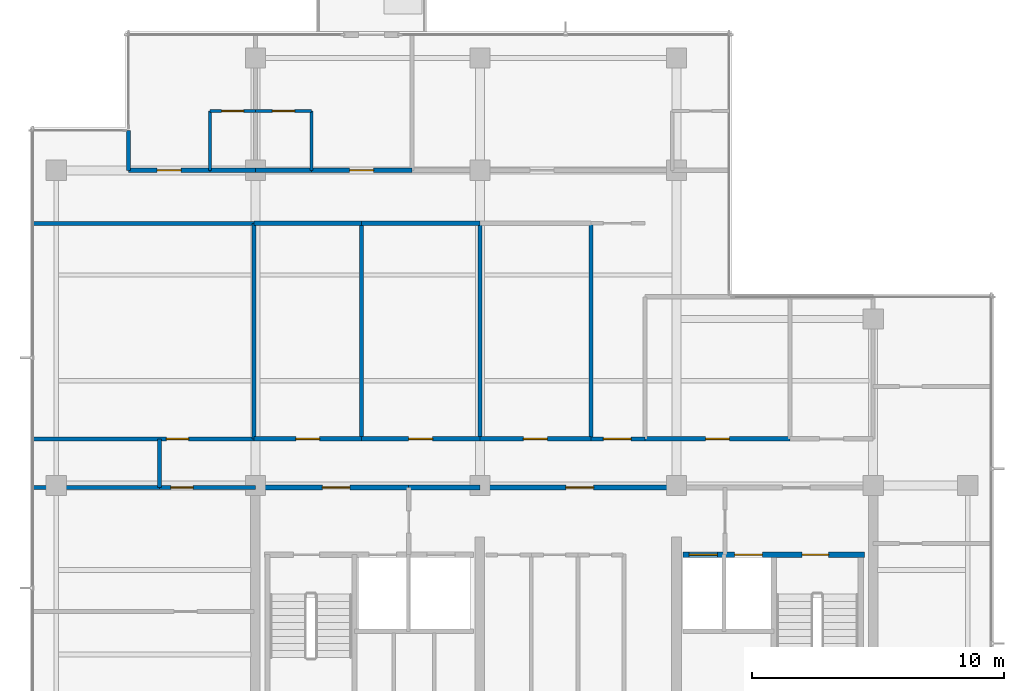
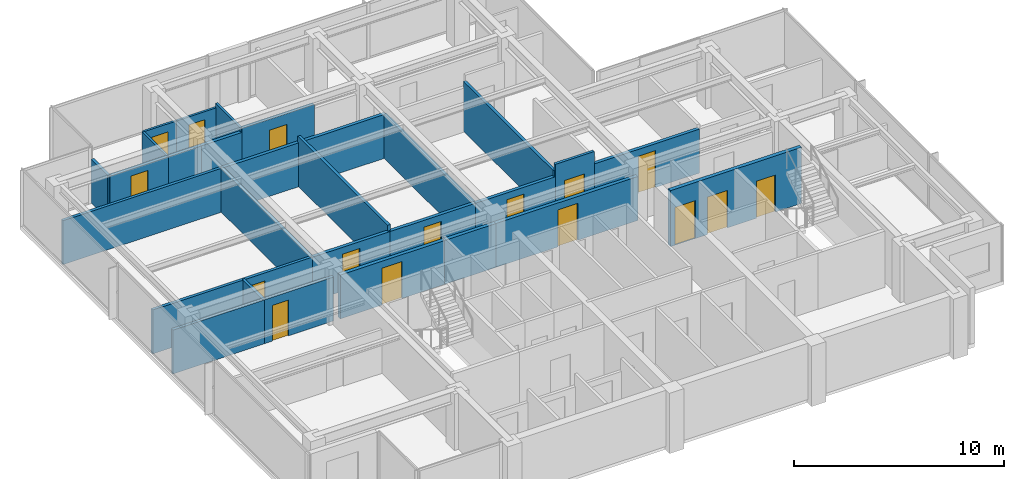
# One storey, part 7 of 11: 29 walls, 16 doors, 16 openings.
"""IFC4 building model written with IfcOpenShell, lengths in metres."""

from ifc_helpers import new_model, si_unit, direction, frame, frame_2d, origin, place, context, subcontext, project, spatial, rectangle, extrude, material, layer, layer_set, type_object, element, fill, save


model = new_model("IFC4")

# Units and contexts
model_context = context("Model", 3, precision=1e-05, world=origin(), true_north=direction((0.0, 1.0)))
body_context = subcontext(model_context, "Body", "Model", "MODEL_VIEW")
ifc_project = project(units=[si_unit("LENGTHUNIT", "METRE"), si_unit("AREAUNIT", "SQUARE_METRE"), si_unit("VOLUMEUNIT", "CUBIC_METRE"), si_unit("PLANEANGLEUNIT", "RADIAN"), si_unit("MASSUNIT", "GRAM", prefix="KILO")], contexts=[model_context])

# Site, building, storey
site_placement = place(None, origin())
site = spatial("IfcSite", under=ifc_project, at=site_placement, CompositionType="ELEMENT")
building_placement = place(site_placement, origin())
building = spatial("IfcBuilding", under=site, at=building_placement, Name="Qalmaran Belvedere Hotel", CompositionType="ELEMENT")
storey_placement = place(building_placement, frame((0.0, 0.0, 256.39990234375)))
storey = spatial("IfcBuildingStorey", under=building, at=storey_placement, Name="L66", CompositionType="ELEMENT", Elevation=256.39990234375)

# Wall, opening, door
ifc_material_1 = material(Name="Moisture-Resistant Gypsum")
ifc_layer_1 = layer(ifc_material_1, 0.1201171875, Name="Moisture-Resistant Gypsum")
ifc_layer_set_1 = layer_set([ifc_layer_1], Name="Moisture-Resistant Gypsum")
wall_type_1 = type_object("IfcWallType", Name="WL-INT-120-BATH", PredefinedType="PARTITIONING", material=ifc_layer_set_1)
wall_1_placement = place(storey_placement, frame((18.489990234375, 35.35009765625, 0.0), z_axis=(0.0, 0.0, 1.0), x_axis=(1.0, 0.0, 0.0)))
wall_1 = element("IfcWall", 1, at=wall_1_placement, inside=storey, type_object=wall_type_1, Name="L66 Partition WL-L66-NBN00", PredefinedType="PARTITIONING", context=body_context, shape_type="SweptSolid", body=[
    extrude(rectangle(XDim=1.81005859375, YDim=0.1201171875, at=frame_2d((0.905029296875, 0.0))), origin(), (0.0, 0.0, 1.0), 2.550048828125),
])
opening_1_placement = place(wall_1_placement, frame((1.344970703125, 0.0, 0.0), z_axis=(0.0, 0.0, 1.0), x_axis=(-1.0, 0.0, 0.0)))
opening_1 = element("IfcOpeningElement", 2, at=opening_1_placement, cuts=wall_1, Name="Opening D-BATH", PredefinedType="OPENING", context=body_context, shape_type="SweptSolid", body=[
    extrude(rectangle(XDim=0.8798828125, YDim=2.080078125, at=frame_2d((0.43994140625, 1.0400390625))), frame((0.0, 0.070068359375, 0.0), z_axis=(0.0, -1.0, 0.0), x_axis=(1.0, 0.0, 0.0)), (0.0, 0.0, 1.0), 0.14013671875),
])
ifc_material_2 = material(Name="Engineered Oak Veneer")
door_type_1 = type_object("IfcDoorType", Name="DR-INT-BATH-880X2080", OperationType="NOTDEFINED", PredefinedType="DOOR", material=ifc_material_2)
door_1_placement = place(opening_1_placement, origin())
door_1 = element("IfcDoor", 3, at=door_1_placement, inside=storey, type_object=door_type_1, Name="L66 Ensuite Bathroom Door N01", OperationType="SINGLE_SWING_LEFT", OverallHeight=2.080078125, OverallWidth=0.8798828125, PredefinedType="DOOR", context=body_context, shape_type="SweptSolid", body=[
    extrude(rectangle(XDim=0.8798828125, YDim=2.080078125, at=frame_2d((0.43994140625, 1.0400390625))), frame((0.0, 0.02490234375, 0.0), z_axis=(0.0, -1.0, 0.0), x_axis=(1.0, 0.0, 0.0)), (0.0, 0.0, 1.0), 0.050048828125),
])
fill(opening_1, door_1)

# Wall
wall_2_placement = place(storey_placement, frame((18.489990234375, 33.0, 0.0), z_axis=(0.0, 0.0, 1.0), x_axis=(0.0, 1.0, 0.0)))
element("IfcWall", 4, at=wall_2_placement, inside=storey, type_object=wall_type_1, Name="L66 Partition WL-L66-NBS00", PredefinedType="PARTITIONING", context=body_context, shape_type="SweptSolid", body=[
    extrude(rectangle(XDim=2.35009765625, YDim=0.1201171875, at=frame_2d((1.175048828125, 0.0))), origin(), (0.0, 0.0, 1.0), 2.550048828125),
])

# Wall, opening, door
wall_3_placement = place(storey_placement, frame((20.300048828125, 35.35009765625, 0.0), z_axis=(0.0, 0.0, 1.0), x_axis=(1.0, 0.0, 0.0)))
wall_3 = element("IfcWall", 5, at=wall_3_placement, inside=storey, type_object=wall_type_1, Name="L66 Partition WL-L66-NBN01", PredefinedType="PARTITIONING", context=body_context, shape_type="SweptSolid", body=[
    extrude(rectangle(XDim=2.22998046875, YDim=0.1201171875, at=frame_2d((1.114990234375, 0.0))), origin(), (0.0, 0.0, 1.0), 2.550048828125),
])
opening_2_placement = place(wall_3_placement, frame((1.554931640625, 0.0, 0.0), z_axis=(0.0, 0.0, 1.0), x_axis=(-1.0, 0.0, 0.0)))
opening_2 = element("IfcOpeningElement", 6, at=opening_2_placement, cuts=wall_3, Name="Opening D-BATH", PredefinedType="OPENING", context=body_context, shape_type="SweptSolid", body=[
    extrude(rectangle(XDim=0.8798828125, YDim=2.080078125, at=frame_2d((0.43994140625, 1.0400390625))), frame((0.0, 0.070068359375, 0.0), z_axis=(0.0, -1.0, 0.0), x_axis=(1.0, 0.0, 0.0)), (0.0, 0.0, 1.0), 0.14013671875),
])
door_2_placement = place(opening_2_placement, origin())
door_2 = element("IfcDoor", 7, at=door_2_placement, inside=storey, type_object=door_type_1, Name="L66 Ensuite Bathroom Door N02", OperationType="SINGLE_SWING_LEFT", OverallHeight=2.080078125, OverallWidth=0.8798828125, PredefinedType="DOOR", context=body_context, shape_type="SweptSolid", body=[
    extrude(rectangle(XDim=0.8798828125, YDim=2.080078125, at=frame_2d((0.43994140625, 1.0400390625))), frame((0.0, 0.02490234375, 0.0), z_axis=(0.0, -1.0, 0.0), x_axis=(1.0, 0.0, 0.0)), (0.0, 0.0, 1.0), 0.050048828125),
])
fill(opening_2, door_2)

# Wall
wall_4_placement = place(storey_placement, frame((22.530029296875, 33.0, 0.0), z_axis=(0.0, 0.0, 1.0), x_axis=(0.0, 1.0, 0.0)))
element("IfcWall", 8, at=wall_4_placement, inside=storey, type_object=wall_type_1, Name="L66 Partition WL-L66-NBS01", PredefinedType="PARTITIONING", context=body_context, shape_type="SweptSolid", body=[
    extrude(rectangle(XDim=2.35009765625, YDim=0.1201171875, at=frame_2d((1.175048828125, 0.0))), origin(), (0.0, 0.0, 1.0), 2.781982421875),
])

# Wall, opening, door
ifc_material_3 = material(Name="Gypsum Stud Partition")
ifc_layer_2 = layer(ifc_material_3, 0.14990234375, Name="Gypsum Stud Partition")
ifc_layer_set_2 = layer_set([ifc_layer_2], Name="Gypsum Stud Partition")
wall_type_2 = type_object("IfcWallType", Name="WL-INT-150-EI60", PredefinedType="PARTITIONING", material=ifc_layer_set_2)
wall_5_placement = place(storey_placement, frame((33.60009765625, 22.35009765625, 0.0), z_axis=(0.0, 0.0, 1.0), x_axis=(1.0, 0.0, 0.0)))
wall_5 = element("IfcWall", 9, at=wall_5_placement, inside=storey, type_object=wall_type_2, Name="L66 Partition WL-L66-XCLS", PredefinedType="PARTITIONING", context=body_context, shape_type="SweptSolid", body=[
    extrude(rectangle(XDim=2.14990234375, YDim=0.14990234375, at=frame_2d((1.074951171875, 0.0))), origin(), (0.0, 0.0, 1.0), 3.260009765625),
])
opening_3_placement = place(wall_5_placement, frame((0.5, 0.0, 0.0)))
opening_3 = element("IfcOpeningElement", 10, at=opening_3_placement, cuts=wall_5, Name="Opening FD90", PredefinedType="OPENING", context=body_context, shape_type="SweptSolid", body=[
    extrude(rectangle(XDim=1.10009765625, YDim=2.14990234375, at=frame_2d((0.550048828125, 1.074951171875))), frame((0.0, 0.0849609375, 0.0), z_axis=(0.0, -1.0, 0.0), x_axis=(1.0, 0.0, 0.0)), (0.0, 0.0, 1.0), 0.169921875),
])
ifc_material_4 = material(Name="Steel S355JR", Category="steel")
door_type_2 = type_object("IfcDoorType", Name="DR-FD90-1100X2150", OperationType="NOTDEFINED", PredefinedType="DOOR", material=ifc_material_4)
door_3_placement = place(opening_3_placement, origin())
door_3 = element("IfcDoor", 11, at=door_3_placement, inside=storey, type_object=door_type_2, Name="L66 Sky Link South Door", OperationType="SINGLE_SWING_LEFT", OverallHeight=2.14990234375, OverallWidth=1.10009765625, PredefinedType="DOOR", context=body_context, shape_type="SweptSolid", body=[
    extrude(rectangle(XDim=1.10009765625, YDim=2.14990234375, at=frame_2d((0.550048828125, 1.074951171875))), frame((0.0, 0.02490234375, 0.0), z_axis=(0.0, -1.0, 0.0), x_axis=(1.0, 0.0, 0.0)), (0.0, 0.0, 1.0), 0.050048828125),
])
fill(opening_3, door_3)

# Wall
ifc_layer_3 = layer(ifc_material_3, 0.159912109375, Name="Gypsum Stud Partition")
ifc_layer_set_3 = layer_set([ifc_layer_3], Name="Gypsum Stud Partition")
wall_type_3 = type_object("IfcWallType", Name="WL-INT-160-EI60", PredefinedType="PARTITIONING", material=ifc_layer_set_3)
wall_6_placement = place(storey_placement, frame((11.469970703125, 20.419921875, 0.0), z_axis=(0.0, 0.0, 1.0), x_axis=(1.0, 0.0, 0.0)))
element("IfcWall", 12, at=wall_6_placement, inside=storey, type_object=wall_type_3, Name="L66 Partition WL-L66-C4WS1", PredefinedType="PARTITIONING", context=body_context, shape_type="SweptSolid", body=[
    extrude(rectangle(XDim=5.030029296875, YDim=0.159912109375, at=frame_2d((2.51513671875, 0.0))), origin(), (0.0, 0.0, 1.0), 2.550048828125),
])

# Wall, opening, door
wall_7_placement = place(storey_placement, frame((16.5, 20.419921875, 0.0), z_axis=(0.0, 0.0, 1.0), x_axis=(1.0, 0.0, 0.0)))
wall_7 = element("IfcWall", 13, at=wall_7_placement, inside=storey, type_object=wall_type_3, Name="L66 Partition WL-L66-C4WS2", PredefinedType="PARTITIONING", context=body_context, shape_type="SweptSolid", body=[
    extrude(rectangle(XDim=3.800048828125, YDim=0.159912109375, at=frame_2d((1.89990234375, 0.0))), origin(), (0.0, 0.0, 1.0), 2.550048828125),
])
opening_4_placement = place(wall_7_placement, frame((1.329833984375, 0.0, 0.0), z_axis=(0.0, 0.0, 1.0), x_axis=(-1.0, 0.0, 0.0)))
opening_4 = element("IfcOpeningElement", 14, at=opening_4_placement, cuts=wall_7, Name="Opening FD60B", PredefinedType="OPENING", context=body_context, shape_type="SweptSolid", body=[
    extrude(rectangle(XDim=0.8798828125, YDim=2.080078125, at=frame_2d((0.43994140625, 1.0400390625))), frame((0.0, 0.08984375, 0.0), z_axis=(0.0, -1.0, 0.0), x_axis=(1.0, 0.0, 0.0)), (0.0, 0.0, 1.0), 0.179931640625),
])
door_type_3 = type_object("IfcDoorType", Name="DR-FD60B-880X2080", OperationType="NOTDEFINED", PredefinedType="DOOR", material=ifc_material_4)
door_4_placement = place(opening_4_placement, origin())
door_4 = element("IfcDoor", 15, at=door_4_placement, inside=storey, type_object=door_type_3, Name="L66 West Salon Door", OperationType="SINGLE_SWING_RIGHT", OverallHeight=2.080078125, OverallWidth=0.8798828125, PredefinedType="DOOR", context=body_context, shape_type="SweptSolid", body=[
    extrude(rectangle(XDim=0.8798828125, YDim=2.080078125, at=frame_2d((0.43994140625, 1.0400390625))), frame((0.0, 0.02490234375, 0.0), z_axis=(0.0, -1.0, 0.0), x_axis=(1.0, 0.0, 0.0)), (0.0, 0.0, 1.0), 0.050048828125),
])
fill(opening_4, door_4)

# Wall
wall_8_placement = place(storey_placement, frame((16.5, 20.419921875, 0.0), z_axis=(0.0, 0.0, 1.0), x_axis=(0.0, 1.0, 0.0)))
element("IfcWall", 16, at=wall_8_placement, inside=storey, type_object=wall_type_3, Name="L66 Partition WL-L66-C4WW", PredefinedType="PARTITIONING", context=body_context, shape_type="SweptSolid", body=[
    extrude(rectangle(XDim=1.93017578125, YDim=0.159912109375, at=frame_2d((0.965087890625, 0.0))), origin(), (0.0, 0.0, 1.0), 2.550048828125),
])

# Wall, opening, door
wall_9_placement = place(storey_placement, frame((11.469970703125, 22.35009765625, 0.0), z_axis=(0.0, 0.0, 1.0), x_axis=(1.0, 0.0, 0.0)))
wall_9 = element("IfcWall", 17, at=wall_9_placement, inside=storey, type_object=wall_type_3, Name="L66 Partition WL-L66-C4WN0", PredefinedType="PARTITIONING", context=body_context, shape_type="SweptSolid", body=[
    extrude(rectangle(XDim=8.780029296875, YDim=0.159912109375, at=frame_2d((4.39013671875, 0.0))), origin(), (0.0, 0.0, 1.0), 2.550048828125),
])
opening_5_placement = place(wall_9_placement, frame((5.300048828125, 0.0, 0.0)))
opening_5 = element("IfcOpeningElement", 18, at=opening_5_placement, cuts=wall_9, Name="Opening FD60B", PredefinedType="OPENING", context=body_context, shape_type="SweptSolid", body=[
    extrude(rectangle(XDim=0.8798828125, YDim=2.080078125, at=frame_2d((0.43994140625, 1.0400390625))), frame((0.0, 0.08984375, 0.0), z_axis=(0.0, -1.0, 0.0), x_axis=(1.0, 0.0, 0.0)), (0.0, 0.0, 1.0), 0.179931640625),
])
door_5_placement = place(opening_5_placement, origin())
door_5 = element("IfcDoor", 19, at=door_5_placement, inside=storey, type_object=door_type_3, Name="L66 NW Salon Door", OperationType="SINGLE_SWING_LEFT", OverallHeight=2.080078125, OverallWidth=0.8798828125, PredefinedType="DOOR", context=body_context, shape_type="SweptSolid", body=[
    extrude(rectangle(XDim=0.8798828125, YDim=2.080078125, at=frame_2d((0.43994140625, 1.0400390625))), frame((0.0, 0.02490234375, 0.0), z_axis=(0.0, -1.0, 0.0), x_axis=(1.0, 0.0, 0.0)), (0.0, 0.0, 1.0), 0.050048828125),
])
fill(opening_5, door_5)

# Walls
wall_10_placement = place(storey_placement, frame((11.469970703125, 30.89990234375, 0.0), z_axis=(0.0, 0.0, 1.0), x_axis=(1.0, 0.0, 0.0)))
element("IfcWall", 20, at=wall_10_placement, inside=storey, type_object=wall_type_3, Name="L66 Partition WL-L66-C4WN1", PredefinedType="PARTITIONING", context=body_context, shape_type="SweptSolid", body=[
    extrude(rectangle(XDim=8.780029296875, YDim=0.159912109375, at=frame_2d((4.39013671875, 0.0))), origin(), (0.0, 0.0, 1.0), 2.550048828125),
])
wall_11_placement = place(storey_placement, frame((20.25, 22.35009765625, 0.0), z_axis=(0.0, 0.0, 1.0), x_axis=(0.0, 1.0, 0.0)))
element("IfcWall", 21, at=wall_11_placement, inside=storey, type_object=wall_type_3, Name="L66 Partition WL-L66-C4MWVL", PredefinedType="PARTITIONING", context=body_context, shape_type="SweptSolid", body=[
    extrude(rectangle(XDim=8.5498046875, YDim=0.159912109375, at=frame_2d((4.27490234375, 0.0))), origin(), (0.0, 0.0, 1.0), 2.550048828125),
])
wall_12_placement = place(storey_placement, frame((24.5, 22.35009765625, 0.0), z_axis=(0.0, 0.0, 1.0), x_axis=(0.0, 1.0, 0.0)))
element("IfcWall", 22, at=wall_12_placement, inside=storey, type_object=wall_type_3, Name="L66 Partition WL-L66-C4MWVR1", PredefinedType="PARTITIONING", context=body_context, shape_type="SweptSolid", body=[
    extrude(rectangle(XDim=8.5498046875, YDim=0.159912109375, at=frame_2d((4.27490234375, 0.0))), origin(), (0.0, 0.0, 1.0), 2.88720703125),
])
wall_13_placement = place(storey_placement, frame((29.199951171875, 22.35009765625, 0.0), z_axis=(0.0, 0.0, 1.0), x_axis=(0.0, 1.0, 0.0)))
element("IfcWall", 23, at=wall_13_placement, inside=storey, type_object=wall_type_3, Name="L66 Partition WL-L66-C4MWVR2", PredefinedType="PARTITIONING", context=body_context, shape_type="SweptSolid", body=[
    extrude(rectangle(XDim=8.5498046875, YDim=0.159912109375, at=frame_2d((4.27490234375, 0.0))), origin(), (0.0, 0.0, 1.0), 2.550048828125),
])
wall_14_placement = place(storey_placement, frame((33.60009765625, 22.35009765625, 0.0), z_axis=(0.0, 0.0, 1.0), x_axis=(0.0, 1.0, 0.0)))
element("IfcWall", 24, at=wall_14_placement, inside=storey, type_object=wall_type_3, Name="L66 Partition WL-L66-C4MWVR3", PredefinedType="PARTITIONING", context=body_context, shape_type="SweptSolid", body=[
    extrude(rectangle(XDim=8.5498046875, YDim=0.159912109375, at=frame_2d((4.27490234375, 0.0))), origin(), (0.0, 0.0, 1.0), 2.88720703125),
])
wall_15_placement = place(storey_placement, frame((15.27001953125, 33.0, 0.0), z_axis=(0.0, 0.0, 1.0), x_axis=(0.0, 1.0, 0.0)))
element("IfcWall", 25, at=wall_15_placement, inside=storey, type_object=wall_type_3, Name="L66 Partition WL-L66-NUL", PredefinedType="PARTITIONING", context=body_context, shape_type="SweptSolid", body=[
    extrude(rectangle(XDim=1.580078125, YDim=0.159912109375, at=frame_2d((0.7900390625, 0.0))), origin(), (0.0, 0.0, 1.0), 2.550048828125),
])

# Wall, opening, door
ifc_layer_4 = layer(ifc_material_3, 0.179931640625, Name="Gypsum Stud Partition")
ifc_layer_set_4 = layer_set([ifc_layer_4], Name="Gypsum Stud Partition")
wall_type_4 = type_object("IfcWallType", Name="WL-INT-180-EI60", PredefinedType="PARTITIONING", material=ifc_layer_set_4)
wall_16_placement = place(storey_placement, frame((20.25, 22.35009765625, 0.0), z_axis=(0.0, 0.0, 1.0), x_axis=(1.0, 0.0, 0.0)))
wall_16 = element("IfcWall", 26, at=wall_16_placement, inside=storey, type_object=wall_type_4, Name="L66 Partition WL-L66-C4MWD1", PredefinedType="PARTITIONING", context=body_context, shape_type="SweptSolid", body=[
    extrude(rectangle(XDim=4.25, YDim=0.179931640625, at=frame_2d((2.125, 0.0))), origin(), (0.0, 0.0, 1.0), 2.550048828125),
])
opening_6_placement = place(wall_16_placement, frame((1.64990234375, 0.0, 0.0)))
opening_6 = element("IfcOpeningElement", 27, at=opening_6_placement, cuts=wall_16, Name="Opening FD60", PredefinedType="OPENING", context=body_context, shape_type="SweptSolid", body=[
    extrude(rectangle(XDim=0.949951171875, YDim=2.14990234375, at=frame_2d((0.47509765625, 1.074951171875))), frame((0.0, 0.10009765625, 0.0), z_axis=(0.0, -1.0, 0.0), x_axis=(1.0, 0.0, 0.0)), (0.0, 0.0, 1.0), 0.199951171875),
])
door_type_4 = type_object("IfcDoorType", Name="DR-FD60-950X2150", OperationType="NOTDEFINED", PredefinedType="DOOR", material=ifc_material_2)
door_6_placement = place(opening_6_placement, origin())
door_6 = element("IfcDoor", 28, at=door_6_placement, inside=storey, type_object=door_type_4, Name="L66 Housekeeping and Linen Room Door", OperationType="SINGLE_SWING_RIGHT", OverallHeight=2.14990234375, OverallWidth=0.949951171875, PredefinedType="DOOR", context=body_context, shape_type="SweptSolid", body=[
    extrude(rectangle(XDim=0.949951171875, YDim=2.14990234375, at=frame_2d((0.47509765625, 1.074951171875))), frame((0.0, 0.02490234375, 0.0), z_axis=(0.0, -1.0, 0.0), x_axis=(1.0, 0.0, 0.0)), (0.0, 0.0, 1.0), 0.050048828125),
])
fill(opening_6, door_6)

# Wall
wall_17_placement = place(storey_placement, frame((20.25, 30.89990234375, 0.0), z_axis=(0.0, 0.0, 1.0), x_axis=(1.0, 0.0, 0.0)))
element("IfcWall", 29, at=wall_17_placement, inside=storey, type_object=wall_type_4, Name="L66 Partition WL-L66-C4MWO1", PredefinedType="PARTITIONING", context=body_context, shape_type="SweptSolid", body=[
    extrude(rectangle(XDim=4.25, YDim=0.179931640625, at=frame_2d((2.125, 0.0))), origin(), (0.0, 0.0, 1.0), 2.550048828125),
])

# Wall, opening, door
wall_18_placement = place(storey_placement, frame((24.5, 22.35009765625, 0.0), z_axis=(0.0, 0.0, 1.0), x_axis=(1.0, 0.0, 0.0)))
wall_18 = element("IfcWall", 30, at=wall_18_placement, inside=storey, type_object=wall_type_4, Name="L66 Partition WL-L66-C4MWD2", PredefinedType="PARTITIONING", context=body_context, shape_type="SweptSolid", body=[
    extrude(rectangle(XDim=4.699951171875, YDim=0.179931640625, at=frame_2d((2.35009765625, 0.0))), origin(), (0.0, 0.0, 1.0), 2.550048828125),
])
opening_7_placement = place(wall_18_placement, frame((1.875, 0.0, 0.0)))
opening_7 = element("IfcOpeningElement", 31, at=opening_7_placement, cuts=wall_18, Name="Opening FD60", PredefinedType="OPENING", context=body_context, shape_type="SweptSolid", body=[
    extrude(rectangle(XDim=0.949951171875, YDim=2.14990234375, at=frame_2d((0.47509765625, 1.074951171875))), frame((0.0, 0.10009765625, 0.0), z_axis=(0.0, -1.0, 0.0), x_axis=(1.0, 0.0, 0.0)), (0.0, 0.0, 1.0), 0.199951171875),
])
door_7_placement = place(opening_7_placement, origin())
door_7 = element("IfcDoor", 32, at=door_7_placement, inside=storey, type_object=door_type_4, Name="L66 Butler Pantry Door", OperationType="SINGLE_SWING_LEFT", OverallHeight=2.14990234375, OverallWidth=0.949951171875, PredefinedType="DOOR", context=body_context, shape_type="SweptSolid", body=[
    extrude(rectangle(XDim=0.949951171875, YDim=2.14990234375, at=frame_2d((0.47509765625, 1.074951171875))), frame((0.0, 0.02490234375, 0.0), z_axis=(0.0, -1.0, 0.0), x_axis=(1.0, 0.0, 0.0)), (0.0, 0.0, 1.0), 0.050048828125),
])
fill(opening_7, door_7)

# Wall
wall_19_placement = place(storey_placement, frame((24.5, 30.89990234375, 0.0), z_axis=(0.0, 0.0, 1.0), x_axis=(1.0, 0.0, 0.0)))
element("IfcWall", 33, at=wall_19_placement, inside=storey, type_object=wall_type_4, Name="L66 Partition WL-L66-C4MWO2", PredefinedType="PARTITIONING", context=body_context, shape_type="SweptSolid", body=[
    extrude(rectangle(XDim=4.699951171875, YDim=0.179931640625, at=frame_2d((2.35009765625, 0.0))), origin(), (0.0, 0.0, 1.0), 2.550048828125),
])

# Wall, opening, door
wall_20_placement = place(storey_placement, frame((29.199951171875, 22.35009765625, 0.0), z_axis=(0.0, 0.0, 1.0), x_axis=(1.0, 0.0, 0.0)))
wall_20 = element("IfcWall", 34, at=wall_20_placement, inside=storey, type_object=wall_type_4, Name="L66 Partition WL-L66-C4MWD3", PredefinedType="PARTITIONING", context=body_context, shape_type="SweptSolid", body=[
    extrude(rectangle(XDim=4.400146484375, YDim=0.179931640625, at=frame_2d((2.2001953125, 0.0))), origin(), (0.0, 0.0, 1.0), 2.550048828125),
])
opening_8_placement = place(wall_20_placement, frame((1.72509765625, 0.0, 0.0)))
opening_8 = element("IfcOpeningElement", 35, at=opening_8_placement, cuts=wall_20, Name="Opening FD60", PredefinedType="OPENING", context=body_context, shape_type="SweptSolid", body=[
    extrude(rectangle(XDim=0.949951171875, YDim=2.14990234375, at=frame_2d((0.47509765625, 1.074951171875))), frame((0.0, 0.10009765625, 0.0), z_axis=(0.0, -1.0, 0.0), x_axis=(1.0, 0.0, 0.0)), (0.0, 0.0, 1.0), 0.199951171875),
])
door_8_placement = place(opening_8_placement, origin())
door_8 = element("IfcDoor", 36, at=door_8_placement, inside=storey, type_object=door_type_4, Name="L66 Coffee Pantry Door", OperationType="SINGLE_SWING_RIGHT", OverallHeight=2.14990234375, OverallWidth=0.949951171875, PredefinedType="DOOR", context=body_context, shape_type="SweptSolid", body=[
    extrude(rectangle(XDim=0.949951171875, YDim=2.14990234375, at=frame_2d((0.47509765625, 1.074951171875))), frame((0.0, 0.02490234375, 0.0), z_axis=(0.0, -1.0, 0.0), x_axis=(1.0, 0.0, 0.0)), (0.0, 0.0, 1.0), 0.050048828125),
])
fill(opening_8, door_8)

wall_21_placement = place(storey_placement, frame((35.75, 22.35009765625, 0.0), z_axis=(0.0, 0.0, 1.0), x_axis=(1.0, 0.0, 0.0)))
wall_21 = element("IfcWall", 37, at=wall_21_placement, inside=storey, type_object=wall_type_4, Name="L66 Partition WL-L66-C4MED1", PredefinedType="PARTITIONING", context=body_context, shape_type="SweptSolid", body=[
    extrude(rectangle(XDim=5.75, YDim=0.179931640625, at=frame_2d((2.875, 0.0))), origin(), (0.0, 0.0, 1.0), 2.550048828125),
])
opening_9_placement = place(wall_21_placement, frame((2.39990234375, 0.0, 0.0)))
opening_9 = element("IfcOpeningElement", 38, at=opening_9_placement, cuts=wall_21, Name="Opening FD60", PredefinedType="OPENING", context=body_context, shape_type="SweptSolid", body=[
    extrude(rectangle(XDim=0.949951171875, YDim=2.14990234375, at=frame_2d((0.47509765625, 1.074951171875))), frame((0.0, 0.10009765625, 0.0), z_axis=(0.0, -1.0, 0.0), x_axis=(1.0, 0.0, 0.0)), (0.0, 0.0, 1.0), 0.199951171875),
])
door_9_placement = place(opening_9_placement, origin())
door_9 = element("IfcDoor", 39, at=door_9_placement, inside=storey, type_object=door_type_4, Name="L66 Tea Pantry Door", OperationType="SINGLE_SWING_LEFT", OverallHeight=2.14990234375, OverallWidth=0.949951171875, PredefinedType="DOOR", context=body_context, shape_type="SweptSolid", body=[
    extrude(rectangle(XDim=0.949951171875, YDim=2.14990234375, at=frame_2d((0.47509765625, 1.074951171875))), frame((0.0, 0.02490234375, 0.0), z_axis=(0.0, -1.0, 0.0), x_axis=(1.0, 0.0, 0.0)), (0.0, 0.0, 1.0), 0.050048828125),
])
fill(opening_9, door_9)

# Wall
wall_22_placement = place(storey_placement, frame((18.489990234375, 33.0, 0.0), z_axis=(0.0, 0.0, 1.0), x_axis=(1.0, 0.0, 0.0)))
element("IfcWall", 40, at=wall_22_placement, inside=storey, type_object=wall_type_4, Name="L66 Partition WL-L66-NBC00", PredefinedType="PARTITIONING", context=body_context, shape_type="SweptSolid", body=[
    extrude(rectangle(XDim=1.81005859375, YDim=0.179931640625, at=frame_2d((0.905029296875, 0.0))), origin(), (0.0, 0.0, 1.0), 2.550048828125),
])

# Wall, opening, door
wall_23_placement = place(storey_placement, frame((15.27001953125, 33.0, 0.0), z_axis=(0.0, 0.0, 1.0), x_axis=(1.0, 0.0, 0.0)))
wall_23 = element("IfcWall", 41, at=wall_23_placement, inside=storey, type_object=wall_type_4, Name="L66 Partition WL-L66-NEC00", PredefinedType="PARTITIONING", context=body_context, shape_type="SweptSolid", body=[
    extrude(rectangle(XDim=3.219970703125, YDim=0.179931640625, at=frame_2d((1.60986328125, 0.0))), origin(), (0.0, 0.0, 1.0), 2.550048828125),
])
opening_10_placement = place(wall_23_placement, frame((1.135009765625, 0.0, 0.0)))
opening_10 = element("IfcOpeningElement", 42, at=opening_10_placement, cuts=wall_23, Name="Opening FD60", PredefinedType="OPENING", context=body_context, shape_type="SweptSolid", body=[
    extrude(rectangle(XDim=0.949951171875, YDim=2.14990234375, at=frame_2d((0.47509765625, 1.074951171875))), frame((0.0, 0.10009765625, 0.0), z_axis=(0.0, -1.0, 0.0), x_axis=(1.0, 0.0, 0.0)), (0.0, 0.0, 1.0), 0.199951171875),
])
door_10_placement = place(opening_10_placement, origin())
door_10 = element("IfcDoor", 43, at=door_10_placement, inside=storey, type_object=door_type_4, Name="L66 Guest Entrance Door N01", OperationType="SINGLE_SWING_RIGHT", OverallHeight=2.14990234375, OverallWidth=0.949951171875, PredefinedType="DOOR", context=body_context, shape_type="SweptSolid", body=[
    extrude(rectangle(XDim=0.949951171875, YDim=2.14990234375, at=frame_2d((0.47509765625, 1.074951171875))), frame((0.0, 0.02490234375, 0.0), z_axis=(0.0, -1.0, 0.0), x_axis=(1.0, 0.0, 0.0)), (0.0, 0.0, 1.0), 0.050048828125),
])
fill(opening_10, door_10)

# Wall
wall_24_placement = place(storey_placement, frame((20.300048828125, 33.0, 0.0), z_axis=(0.0, 0.0, 1.0), x_axis=(1.0, 0.0, 0.0)))
element("IfcWall", 44, at=wall_24_placement, inside=storey, type_object=wall_type_4, Name="L66 Partition WL-L66-NBC01", PredefinedType="PARTITIONING", context=body_context, shape_type="SweptSolid", body=[
    extrude(rectangle(XDim=2.22998046875, YDim=0.179931640625, at=frame_2d((1.114990234375, 0.0))), origin(), (0.0, 0.0, 1.0), 2.550048828125),
])

# Wall, opening, door
wall_25_placement = place(storey_placement, frame((22.530029296875, 33.0, 0.0), z_axis=(0.0, 0.0, 1.0), x_axis=(1.0, 0.0, 0.0)))
wall_25 = element("IfcWall", 45, at=wall_25_placement, inside=storey, type_object=wall_type_4, Name="L66 Partition WL-L66-NEC01", PredefinedType="PARTITIONING", context=body_context, shape_type="SweptSolid", body=[
    extrude(rectangle(XDim=3.969970703125, YDim=0.179931640625, at=frame_2d((1.98486328125, 0.0))), origin(), (0.0, 0.0, 1.0), 2.781982421875),
])
opening_11_placement = place(wall_25_placement, frame((1.510009765625, 0.0, 0.0)))
opening_11 = element("IfcOpeningElement", 46, at=opening_11_placement, cuts=wall_25, Name="Opening FD60", PredefinedType="OPENING", context=body_context, shape_type="SweptSolid", body=[
    extrude(rectangle(XDim=0.949951171875, YDim=2.14990234375, at=frame_2d((0.47509765625, 1.074951171875))), frame((0.0, 0.10009765625, 0.0), z_axis=(0.0, -1.0, 0.0), x_axis=(1.0, 0.0, 0.0)), (0.0, 0.0, 1.0), 0.199951171875),
])
door_11_placement = place(opening_11_placement, origin())
door_11 = element("IfcDoor", 47, at=door_11_placement, inside=storey, type_object=door_type_4, Name="L66 Guest Entrance Door N02", OperationType="SINGLE_SWING_RIGHT", OverallHeight=2.14990234375, OverallWidth=0.949951171875, PredefinedType="DOOR", context=body_context, shape_type="SweptSolid", body=[
    extrude(rectangle(XDim=0.949951171875, YDim=2.14990234375, at=frame_2d((0.47509765625, 1.074951171875))), frame((0.0, 0.02490234375, 0.0), z_axis=(0.0, -1.0, 0.0), x_axis=(1.0, 0.0, 0.0)), (0.0, 0.0, 1.0), 0.050048828125),
])
fill(opening_11, door_11)

ifc_material_5 = material(Name="Concrete C30/37 Blockwork", Category="masonry")
ifc_layer_5 = layer(ifc_material_5, 0.199951171875, Name="Concrete C30/37 Blockwork")
ifc_layer_set_5 = layer_set([ifc_layer_5], Name="Concrete C30/37 Blockwork")
wall_type_5 = type_object("IfcWallType", Name="WL-INT-200-EI120", PredefinedType="PARTITIONING", material=ifc_layer_set_5)
wall_26_placement = place(storey_placement, frame((20.64990234375, 20.419921875, 0.0), z_axis=(0.0, 0.0, 1.0), x_axis=(1.0, 0.0, 0.0)))
wall_26 = element("IfcWall", 48, at=wall_26_placement, inside=storey, type_object=wall_type_5, Name="L66 Partition WL-CN1A-L66", PredefinedType="PARTITIONING", context=body_context, shape_type="SweptSolid", body=[
    extrude(rectangle(XDim=5.72998046875, YDim=0.199951171875, at=frame_2d((2.864990234375, 0.0))), origin(), (0.0, 0.0, 1.0), 2.550048828125),
])
opening_12_placement = place(wall_26_placement, frame((2.300048828125, 0.0, 0.0)))
opening_12 = element("IfcOpeningElement", 49, at=opening_12_placement, cuts=wall_26, Name="Opening FD90", PredefinedType="OPENING", context=body_context, shape_type="SweptSolid", body=[
    extrude(rectangle(XDim=1.10009765625, YDim=2.14990234375, at=frame_2d((0.550048828125, 1.074951171875))), frame((0.0, 0.10986328125, 0.0), z_axis=(0.0, -1.0, 0.0), x_axis=(1.0, 0.0, 0.0)), (0.0, 0.0, 1.0), 0.219970703125),
])
door_12_placement = place(opening_12_placement, origin())
door_12 = element("IfcDoor", 50, at=door_12_placement, inside=storey, type_object=door_type_2, Name="L66 FF1 Lobby Corridor Door", OperationType="SINGLE_SWING_RIGHT", OverallHeight=2.14990234375, OverallWidth=1.10009765625, PredefinedType="DOOR", context=body_context, shape_type="SweptSolid", body=[
    extrude(rectangle(XDim=1.10009765625, YDim=2.14990234375, at=frame_2d((0.550048828125, 1.074951171875))), frame((0.0, 0.02490234375, 0.0), z_axis=(0.0, -1.0, 0.0), x_axis=(1.0, 0.0, 0.0)), (0.0, 0.0, 1.0), 0.050048828125),
])
fill(opening_12, door_12)

# Wall
wall_27_placement = place(storey_placement, frame((26.3798828125, 20.419921875, 0.0), z_axis=(0.0, 0.0, 1.0), x_axis=(1.0, 0.0, 0.0)))
element("IfcWall", 51, at=wall_27_placement, inside=storey, type_object=wall_type_5, Name="L66 Partition WL-CN1B-L66", PredefinedType="PARTITIONING", context=body_context, shape_type="SweptSolid", body=[
    extrude(rectangle(XDim=2.820068359375, YDim=0.199951171875, at=frame_2d((1.41015625, 0.0))), origin(), (0.0, 0.0, 1.0), 2.550048828125),
])

# Wall, opening, door
wall_28_placement = place(storey_placement, frame((29.199951171875, 20.419921875, 0.0), z_axis=(0.0, 0.0, 1.0), x_axis=(1.0, 0.0, 0.0)))
wall_28 = element("IfcWall", 52, at=wall_28_placement, inside=storey, type_object=wall_type_5, Name="L66 Partition WL-CN2-L66", PredefinedType="PARTITIONING", context=body_context, shape_type="SweptSolid", body=[
    extrude(rectangle(XDim=7.800048828125, YDim=0.199951171875, at=frame_2d((3.89990234375, 0.0))), origin(), (0.0, 0.0, 1.0), 2.550048828125),
])
opening_13_placement = place(wall_28_placement, frame((3.4091796875, 0.0, 0.0)))
opening_13 = element("IfcOpeningElement", 53, at=opening_13_placement, cuts=wall_28, Name="Opening FD90", PredefinedType="OPENING", context=body_context, shape_type="SweptSolid", body=[
    extrude(rectangle(XDim=1.10009765625, YDim=2.14990234375, at=frame_2d((0.550048828125, 1.074951171875))), frame((0.0, 0.10986328125, 0.0), z_axis=(0.0, -1.0, 0.0), x_axis=(1.0, 0.0, 0.0)), (0.0, 0.0, 1.0), 0.219970703125),
])
door_13_placement = place(opening_13_placement, origin())
door_13 = element("IfcDoor", 54, at=door_13_placement, inside=storey, type_object=door_type_2, Name="L66 Central Lift Lobby Door", OperationType="SINGLE_SWING_LEFT", OverallHeight=2.14990234375, OverallWidth=1.10009765625, PredefinedType="DOOR", context=body_context, shape_type="SweptSolid", body=[
    extrude(rectangle(XDim=1.10009765625, YDim=2.14990234375, at=frame_2d((0.550048828125, 1.074951171875))), frame((0.0, 0.02490234375, 0.0), z_axis=(0.0, -1.0, 0.0), x_axis=(1.0, 0.0, 0.0)), (0.0, 0.0, 1.0), 0.050048828125),
])
fill(opening_13, door_13)

# Wall, openings, doors
ifc_material_6 = material(Name="Concrete C50/60", Category="concrete")
ifc_layer_6 = layer(ifc_material_6, 0.2099609375, Name="Concrete C50/60")
ifc_layer_set_6 = layer_set([ifc_layer_6], Name="Concrete C50/60")
wall_type_6 = type_object("IfcWallType", Name="WL-STAIR-210-C50", PredefinedType="SHEAR", material=ifc_layer_set_6)
wall_29_placement = place(storey_placement, frame((37.25, 17.7548828125, 0.0), z_axis=(0.0, 0.0, 1.0), x_axis=(1.0, 0.0, 0.0)))
wall_29 = element("IfcWall", 55, at=wall_29_placement, inside=storey, type_object=wall_type_6, Name="L66 East Lobby and Stair ST-2 North Bearing Wall", PredefinedType="SHEAR", context=body_context, shape_type="SweptSolid", body=[
    extrude(rectangle(XDim=7.199951171875, YDim=0.2099609375, at=frame_2d((3.60009765625, 0.0))), origin(), (0.0, 0.0, 1.0), 3.260009765625),
])
opening_14_placement = place(wall_29_placement, frame((0.25, 0.0, 0.0)))
opening_14 = element("IfcOpeningElement", 56, at=opening_14_placement, cuts=wall_29, Name="Opening LD-SV", PredefinedType="OPENING", context=body_context, shape_type="SweptSolid", body=[
    extrude(rectangle(XDim=1.1201171875, YDim=2.199951171875, at=frame_2d((0.56005859375, 1.10009765625))), frame((0.0, 0.114990234375, 0.0), z_axis=(0.0, -1.0, 0.0), x_axis=(1.0, 0.0, 0.0)), (0.0, 0.0, 1.0), 0.22998046875),
])
opening_15_placement = place(wall_29_placement, frame((2.050048828125, 0.0, 0.0)))
opening_15 = element("IfcOpeningElement", 57, at=opening_15_placement, cuts=wall_29, Name="Opening LD-FF", PredefinedType="OPENING", context=body_context, shape_type="SweptSolid", body=[
    extrude(rectangle(XDim=1.10009765625, YDim=2.179931640625, at=frame_2d((0.550048828125, 1.08984375))), frame((0.0, 0.114990234375, 0.0), z_axis=(0.0, -1.0, 0.0), x_axis=(1.0, 0.0, 0.0)), (0.0, 0.0, 1.0), 0.22998046875),
])
opening_16_placement = place(wall_29_placement, frame((5.780029296875, 0.0, 0.0), z_axis=(0.0, 0.0, 1.0), x_axis=(-1.0, 0.0, 0.0)))
opening_16 = element("IfcOpeningElement", 58, at=opening_16_placement, cuts=wall_29, Name="Opening FD90S2", PredefinedType="OPENING", context=body_context, shape_type="SweptSolid", body=[
    extrude(rectangle(XDim=1.050048828125, YDim=2.14990234375, at=frame_2d((0.52490234375, 1.074951171875))), frame((0.0, 0.114990234375, 0.0), z_axis=(0.0, -1.0, 0.0), x_axis=(1.0, 0.0, 0.0)), (0.0, 0.0, 1.0), 0.22998046875),
])
door_type_5 = type_object("IfcDoorType", Name="DR-FD90S-1050X2150", OperationType="NOTDEFINED", PredefinedType="DOOR", material=ifc_material_4)
door_14_placement = place(opening_16_placement, origin())
door_14 = element("IfcDoor", 59, at=door_14_placement, inside=storey, type_object=door_type_5, Name="L66 Stair ST-2 Door", OperationType="SINGLE_SWING_LEFT", OverallHeight=2.14990234375, OverallWidth=1.050048828125, PredefinedType="DOOR", context=body_context, shape_type="SweptSolid", body=[
    extrude(rectangle(XDim=1.050048828125, YDim=2.14990234375, at=frame_2d((0.52490234375, 1.074951171875))), frame((0.0, 0.02490234375, 0.0), z_axis=(0.0, -1.0, 0.0), x_axis=(1.0, 0.0, 0.0)), (0.0, 0.0, 1.0), 0.050048828125),
])
fill(opening_16, door_14)
ifc_material_7 = material(Name="Stainless Steel 1.4401", Category="steel")
door_type_6 = type_object("IfcDoorType", Name="DR-LIFT-FF-1100X2180", OperationType="DOUBLE_DOOR_SLIDING", PredefinedType="DOOR", material=ifc_material_7)
door_15_placement = place(opening_15_placement, origin())
door_15 = element("IfcDoor", 60, at=door_15_placement, inside=storey, type_object=door_type_6, Name="L66 FF2 Lift Landing Door", OperationType="DOUBLE_DOOR_SLIDING", OverallHeight=2.179931640625, OverallWidth=1.10009765625, PredefinedType="DOOR", context=body_context, shape_type="SweptSolid", body=[
    extrude(rectangle(XDim=1.10009765625, YDim=2.179931640625, at=frame_2d((0.550048828125, 1.08984375))), frame((0.0, 0.02490234375, 0.0), z_axis=(0.0, -1.0, 0.0), x_axis=(1.0, 0.0, 0.0)), (0.0, 0.0, 1.0), 0.050048828125),
])
fill(opening_15, door_15)
door_type_7 = type_object("IfcDoorType", Name="DR-LIFT-SV-1120X2200", OperationType="DOUBLE_DOOR_SLIDING", PredefinedType="DOOR", material=ifc_material_7)
door_16_placement = place(opening_14_placement, origin())
door_16 = element("IfcDoor", 61, at=door_16_placement, inside=storey, type_object=door_type_7, Name="L66 SV2 Lift Landing Door", OperationType="DOUBLE_DOOR_SLIDING", OverallHeight=2.199951171875, OverallWidth=1.1201171875, PredefinedType="DOOR", context=body_context, shape_type="SweptSolid", body=[
    extrude(rectangle(XDim=1.1201171875, YDim=2.199951171875, at=frame_2d((0.56005859375, 1.10009765625))), frame((0.0, 0.02490234375, 0.0), z_axis=(0.0, -1.0, 0.0), x_axis=(1.0, 0.0, 0.0)), (0.0, 0.0, 1.0), 0.050048828125),
])
fill(opening_14, door_16)

save(model, "model.ifc")
